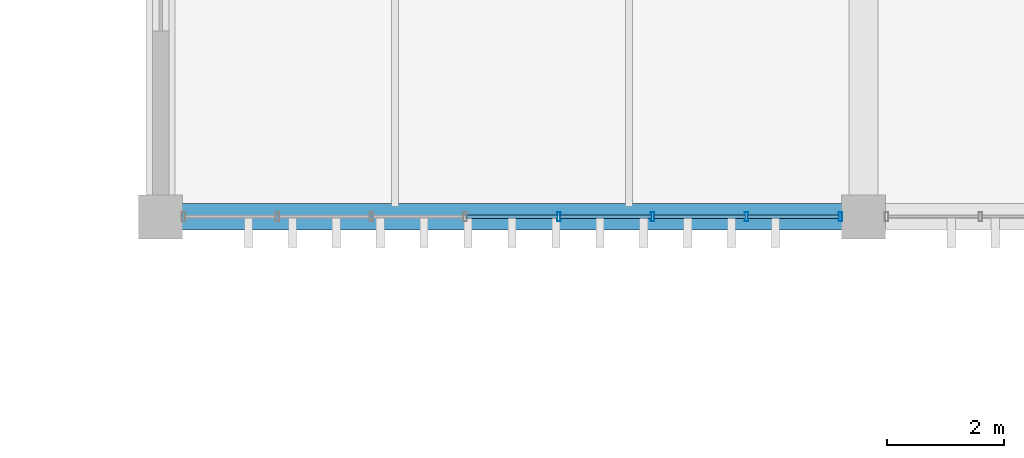
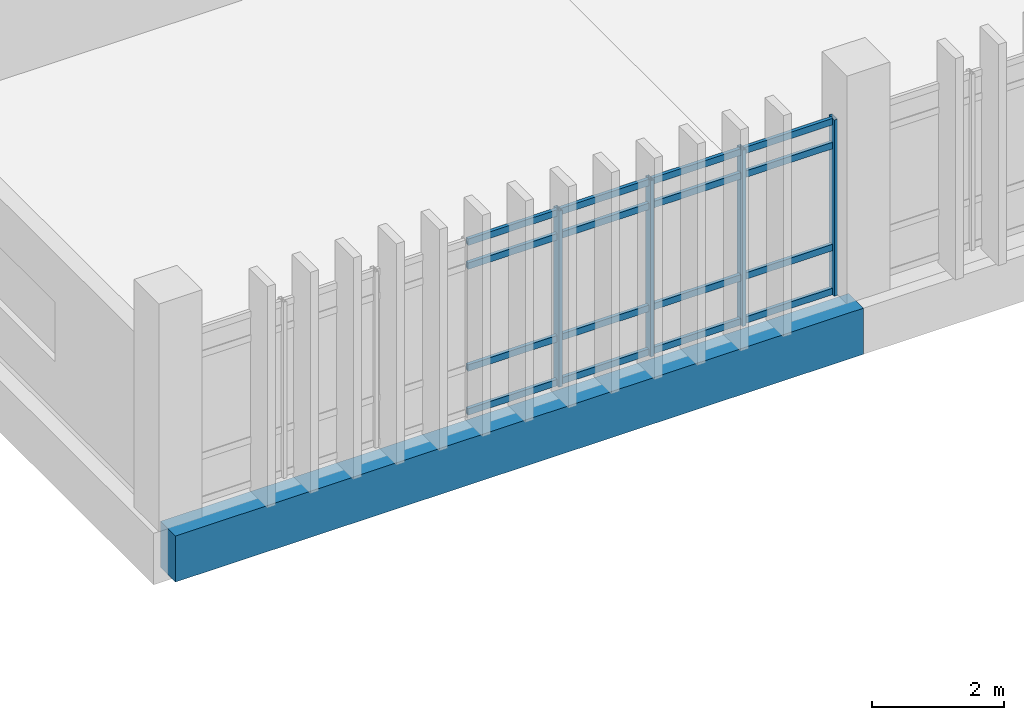
# One storey, part 23 of 111: 20 members, 1 beam, 1 element without a shape of its own.
"""IFC4 building model written with IfcOpenShell, lengths in metres."""

from ifc_helpers import new_model, si_unit, direction, frame, origin, origin_2d, place, context, subcontext, project, spatial, rectangle, hollow_rectangle, extrude, material, layer, layer_set, material_profile, profile_set, type_object, element, aggregate, save


model = new_model("IFC4")

# Units and contexts
model_context = context("Model", 3, precision=1e-05, world=origin(), true_north=direction((0.0, 1.0)))
body_context = subcontext(model_context, "Body", "Model", "MODEL_VIEW")
ifc_project = project(units=[si_unit("LENGTHUNIT", "METRE"), si_unit("AREAUNIT", "SQUARE_METRE"), si_unit("VOLUMEUNIT", "CUBIC_METRE"), si_unit("PLANEANGLEUNIT", "RADIAN"), si_unit("MASSUNIT", "GRAM", prefix="KILO")], contexts=[model_context])

# Site, building, storey
site_placement = place(None, origin())
site = spatial("IfcSite", under=ifc_project, at=site_placement, CompositionType="ELEMENT")
building_placement = place(site_placement, origin())
building = spatial("IfcBuilding", under=site, at=building_placement, Name="Mersad Railyard Sports Hall", CompositionType="ELEMENT")
storey_placement = place(building_placement, frame((0.0, 0.0, 9.0)))
storey = spatial("IfcBuildingStorey", under=building, at=storey_placement, Name="L02", CompositionType="ELEMENT", Elevation=9.0)

# Curtain wall, members
ifc_material_1 = material(Name="Aluminium 6063-T6", Category="aluminium")
ifc_layer = layer(ifc_material_1, 0.159912109375)
ifc_layer_set = layer_set([ifc_layer], Name="Aluminium 6063-T6")
curtain_wall_type = type_object("IfcCurtainWallType", Name="ARC-CW-CW54", PredefinedType="USERDEFINED", material=ifc_layer_set)
curtain_wall_placement = place(storey_placement, origin())
curtain_wall = element("IfcCurtainWall", 1, at=curtain_wall_placement, inside=storey, type_object=curtain_wall_type, Name="Curtain wall CW54-0143", ObjectType="CURTAIN WALL", PredefinedType="USERDEFINED")
ifc_material_profile_1 = material_profile(ifc_material_1, hollow_rectangle(XDim=0.06005859375, YDim=0.159912109375, WallThickness=0.00390625, at=origin_2d()), Name="AL MULLION 60x160x4")
ifc_profile_set_1 = profile_set([ifc_material_profile_1], Name="Aluminium 6063-T6")
member_type_1 = type_object("IfcMemberType", Name="ARC-CW-MUL01", PredefinedType="MULLION", material=ifc_profile_set_1)
member_1_placement = place(storey_placement, frame((54.60498046875, 85.0, -0.02001953125), z_axis=(0.0, 0.0, 1.0), x_axis=(1.0, 0.0, 0.0)))
member_1 = element("IfcMember", 2, at=member_1_placement, type_object=member_type_1, Name="CW54 Mullion 1", PredefinedType="MULLION", context=body_context, shape_type="SweptSolid", body=[
    extrude(hollow_rectangle(XDim=0.06005859375, YDim=0.159912109375, WallThickness=0.00390625, at=origin_2d()), origin(), (0.0, 0.0, 1.0), 3.25),
])
member_2_placement = place(storey_placement, frame((53.003662109375, 85.0, -0.02001953125), z_axis=(0.0, 0.0, 1.0), x_axis=(1.0, 0.0, 0.0)))
member_2 = element("IfcMember", 3, at=member_2_placement, type_object=member_type_1, Name="CW54 Mullion 2", PredefinedType="MULLION", context=body_context, shape_type="SweptSolid", body=[
    extrude(hollow_rectangle(XDim=0.06005859375, YDim=0.159912109375, WallThickness=0.00390625, at=origin_2d()), origin(), (0.0, 0.0, 1.0), 3.25),
])
member_3_placement = place(storey_placement, frame((51.402099609375, 85.0, -0.02001953125), z_axis=(0.0, 0.0, 1.0), x_axis=(1.0, 0.0, 0.0)))
member_3 = element("IfcMember", 4, at=member_3_placement, type_object=member_type_1, Name="CW54 Mullion 3", PredefinedType="MULLION", context=body_context, shape_type="SweptSolid", body=[
    extrude(hollow_rectangle(XDim=0.06005859375, YDim=0.159912109375, WallThickness=0.00390625, at=origin_2d()), origin(), (0.0, 0.0, 1.0), 3.25),
])
member_4_placement = place(storey_placement, frame((49.80078125, 85.0, -0.02001953125), z_axis=(0.0, 0.0, 1.0), x_axis=(1.0, 0.0, 0.0)))
member_4 = element("IfcMember", 5, at=member_4_placement, type_object=member_type_1, Name="CW54 Mullion 4", PredefinedType="MULLION", context=body_context, shape_type="SweptSolid", body=[
    extrude(hollow_rectangle(XDim=0.06005859375, YDim=0.159912109375, WallThickness=0.00390625, at=origin_2d()), origin(), (0.0, 0.0, 1.0), 3.25),
])
ifc_material_profile_2 = material_profile(ifc_material_1, hollow_rectangle(XDim=0.06005859375, YDim=0.1201171875, WallThickness=0.00390625, at=origin_2d()), Name="AL TRANSOM 60x120x4")
ifc_profile_set_2 = profile_set([ifc_material_profile_2], Name="Aluminium 6063-T6")
member_type_2 = type_object("IfcMemberType", Name="ARC-CW-TRN01", PredefinedType="USERDEFINED", material=ifc_profile_set_2)
member_5_placement = place(storey_placement, frame((54.5849609375, 85.0, 0.0400390625), z_axis=(-1.0, 0.0, 0.0), x_axis=(0.0, -1.0, 0.0)))
member_5 = element("IfcMember", 6, at=member_5_placement, type_object=member_type_2, Name="CW54 Transom 1-1", ObjectType="TRANSOM", PredefinedType="USERDEFINED", context=body_context, shape_type="SweptSolid", body=[
    extrude(hollow_rectangle(XDim=0.06005859375, YDim=0.1201171875, WallThickness=0.00390625, at=origin_2d()), origin(), (0.0, 0.0, 1.0), 1.561279296875),
])
member_6_placement = place(storey_placement, frame((52.983642578125, 85.0, 0.0400390625), z_axis=(-1.0, 0.0, 0.0), x_axis=(0.0, -1.0, 0.0)))
member_6 = element("IfcMember", 7, at=member_6_placement, type_object=member_type_2, Name="CW54 Transom 1-2", ObjectType="TRANSOM", PredefinedType="USERDEFINED", context=body_context, shape_type="SweptSolid", body=[
    extrude(hollow_rectangle(XDim=0.06005859375, YDim=0.1201171875, WallThickness=0.00390625, at=origin_2d()), origin(), (0.0, 0.0, 1.0), 1.5615234375),
])
member_7_placement = place(storey_placement, frame((51.382080078125, 85.0, 0.0400390625), z_axis=(-1.0, 0.0, 0.0), x_axis=(0.0, -1.0, 0.0)))
member_7 = element("IfcMember", 8, at=member_7_placement, type_object=member_type_2, Name="CW54 Transom 1-3", ObjectType="TRANSOM", PredefinedType="USERDEFINED", context=body_context, shape_type="SweptSolid", body=[
    extrude(hollow_rectangle(XDim=0.06005859375, YDim=0.1201171875, WallThickness=0.00390625, at=origin_2d()), origin(), (0.0, 0.0, 1.0), 1.561279296875),
])
member_8_placement = place(storey_placement, frame((49.78076171875, 85.0, 0.0400390625), z_axis=(-1.0, 0.0, 0.0), x_axis=(0.0, -1.0, 0.0)))
member_8 = element("IfcMember", 9, at=member_8_placement, type_object=member_type_2, Name="CW54 Transom 1-4", ObjectType="TRANSOM", PredefinedType="USERDEFINED", context=body_context, shape_type="SweptSolid", body=[
    extrude(hollow_rectangle(XDim=0.06005859375, YDim=0.1201171875, WallThickness=0.00390625, at=origin_2d()), origin(), (0.0, 0.0, 1.0), 1.5615234375),
])
member_9_placement = place(storey_placement, frame((54.5849609375, 85.0, 0.85009765625), z_axis=(-1.0, 0.0, 0.0), x_axis=(0.0, -1.0, 0.0)))
member_9 = element("IfcMember", 10, at=member_9_placement, type_object=member_type_2, Name="CW54 Transom 2-1", ObjectType="TRANSOM", PredefinedType="USERDEFINED", context=body_context, shape_type="SweptSolid", body=[
    extrude(hollow_rectangle(XDim=0.06005859375, YDim=0.1201171875, WallThickness=0.00390625, at=origin_2d()), origin(), (0.0, 0.0, 1.0), 1.561279296875),
])
member_10_placement = place(storey_placement, frame((52.983642578125, 85.0, 0.85009765625), z_axis=(-1.0, 0.0, 0.0), x_axis=(0.0, -1.0, 0.0)))
member_10 = element("IfcMember", 11, at=member_10_placement, type_object=member_type_2, Name="CW54 Transom 2-2", ObjectType="TRANSOM", PredefinedType="USERDEFINED", context=body_context, shape_type="SweptSolid", body=[
    extrude(hollow_rectangle(XDim=0.06005859375, YDim=0.1201171875, WallThickness=0.00390625, at=origin_2d()), origin(), (0.0, 0.0, 1.0), 1.5615234375),
])
member_11_placement = place(storey_placement, frame((51.382080078125, 85.0, 0.85009765625), z_axis=(-1.0, 0.0, 0.0), x_axis=(0.0, -1.0, 0.0)))
member_11 = element("IfcMember", 12, at=member_11_placement, type_object=member_type_2, Name="CW54 Transom 2-3", ObjectType="TRANSOM", PredefinedType="USERDEFINED", context=body_context, shape_type="SweptSolid", body=[
    extrude(hollow_rectangle(XDim=0.06005859375, YDim=0.1201171875, WallThickness=0.00390625, at=origin_2d()), origin(), (0.0, 0.0, 1.0), 1.561279296875),
])
member_12_placement = place(storey_placement, frame((49.78076171875, 85.0, 0.85009765625), z_axis=(-1.0, 0.0, 0.0), x_axis=(0.0, -1.0, 0.0)))
member_12 = element("IfcMember", 13, at=member_12_placement, type_object=member_type_2, Name="CW54 Transom 2-4", ObjectType="TRANSOM", PredefinedType="USERDEFINED", context=body_context, shape_type="SweptSolid", body=[
    extrude(hollow_rectangle(XDim=0.06005859375, YDim=0.1201171875, WallThickness=0.00390625, at=origin_2d()), origin(), (0.0, 0.0, 1.0), 1.5615234375),
])
member_13_placement = place(storey_placement, frame((54.5849609375, 85.0, 2.72998046875), z_axis=(-1.0, 0.0, 0.0), x_axis=(0.0, -1.0, 0.0)))
member_13 = element("IfcMember", 14, at=member_13_placement, type_object=member_type_2, Name="CW54 Transom 3-1", ObjectType="TRANSOM", PredefinedType="USERDEFINED", context=body_context, shape_type="SweptSolid", body=[
    extrude(hollow_rectangle(XDim=0.06005859375, YDim=0.1201171875, WallThickness=0.00390625, at=origin_2d()), origin(), (0.0, 0.0, 1.0), 1.561279296875),
])
member_14_placement = place(storey_placement, frame((52.983642578125, 85.0, 2.72998046875), z_axis=(-1.0, 0.0, 0.0), x_axis=(0.0, -1.0, 0.0)))
member_14 = element("IfcMember", 15, at=member_14_placement, type_object=member_type_2, Name="CW54 Transom 3-2", ObjectType="TRANSOM", PredefinedType="USERDEFINED", context=body_context, shape_type="SweptSolid", body=[
    extrude(hollow_rectangle(XDim=0.06005859375, YDim=0.1201171875, WallThickness=0.00390625, at=origin_2d()), origin(), (0.0, 0.0, 1.0), 1.5615234375),
])
member_15_placement = place(storey_placement, frame((51.382080078125, 85.0, 2.72998046875), z_axis=(-1.0, 0.0, 0.0), x_axis=(0.0, -1.0, 0.0)))
member_15 = element("IfcMember", 16, at=member_15_placement, type_object=member_type_2, Name="CW54 Transom 3-3", ObjectType="TRANSOM", PredefinedType="USERDEFINED", context=body_context, shape_type="SweptSolid", body=[
    extrude(hollow_rectangle(XDim=0.06005859375, YDim=0.1201171875, WallThickness=0.00390625, at=origin_2d()), origin(), (0.0, 0.0, 1.0), 1.561279296875),
])
member_16_placement = place(storey_placement, frame((49.78076171875, 85.0, 2.72998046875), z_axis=(-1.0, 0.0, 0.0), x_axis=(0.0, -1.0, 0.0)))
member_16 = element("IfcMember", 17, at=member_16_placement, type_object=member_type_2, Name="CW54 Transom 3-4", ObjectType="TRANSOM", PredefinedType="USERDEFINED", context=body_context, shape_type="SweptSolid", body=[
    extrude(hollow_rectangle(XDim=0.06005859375, YDim=0.1201171875, WallThickness=0.00390625, at=origin_2d()), origin(), (0.0, 0.0, 1.0), 1.5615234375),
])
member_17_placement = place(storey_placement, frame((54.5849609375, 85.0, 3.169921875), z_axis=(-1.0, 0.0, 0.0), x_axis=(0.0, -1.0, 0.0)))
member_17 = element("IfcMember", 18, at=member_17_placement, type_object=member_type_2, Name="CW54 Transom 4-1", ObjectType="TRANSOM", PredefinedType="USERDEFINED", context=body_context, shape_type="SweptSolid", body=[
    extrude(hollow_rectangle(XDim=0.06005859375, YDim=0.1201171875, WallThickness=0.00390625, at=origin_2d()), origin(), (0.0, 0.0, 1.0), 1.561279296875),
])
member_18_placement = place(storey_placement, frame((52.983642578125, 85.0, 3.169921875), z_axis=(-1.0, 0.0, 0.0), x_axis=(0.0, -1.0, 0.0)))
member_18 = element("IfcMember", 19, at=member_18_placement, type_object=member_type_2, Name="CW54 Transom 4-2", ObjectType="TRANSOM", PredefinedType="USERDEFINED", context=body_context, shape_type="SweptSolid", body=[
    extrude(hollow_rectangle(XDim=0.06005859375, YDim=0.1201171875, WallThickness=0.00390625, at=origin_2d()), origin(), (0.0, 0.0, 1.0), 1.5615234375),
])
member_19_placement = place(storey_placement, frame((51.382080078125, 85.0, 3.169921875), z_axis=(-1.0, 0.0, 0.0), x_axis=(0.0, -1.0, 0.0)))
member_19 = element("IfcMember", 20, at=member_19_placement, type_object=member_type_2, Name="CW54 Transom 4-3", ObjectType="TRANSOM", PredefinedType="USERDEFINED", context=body_context, shape_type="SweptSolid", body=[
    extrude(hollow_rectangle(XDim=0.06005859375, YDim=0.1201171875, WallThickness=0.00390625, at=origin_2d()), origin(), (0.0, 0.0, 1.0), 1.561279296875),
])
member_20_placement = place(storey_placement, frame((49.78076171875, 85.0, 3.169921875), z_axis=(-1.0, 0.0, 0.0), x_axis=(0.0, -1.0, 0.0)))
member_20 = element("IfcMember", 21, at=member_20_placement, type_object=member_type_2, Name="CW54 Transom 4-4", ObjectType="TRANSOM", PredefinedType="USERDEFINED", context=body_context, shape_type="SweptSolid", body=[
    extrude(hollow_rectangle(XDim=0.06005859375, YDim=0.1201171875, WallThickness=0.00390625, at=origin_2d()), origin(), (0.0, 0.0, 1.0), 1.5615234375),
])
aggregate(curtain_wall, [member_1, member_2, member_3, member_4, member_5, member_6, member_7, member_8, member_9, member_10, member_11, member_12, member_13, member_14, member_15, member_16, member_17, member_18, member_19, member_20])

# Beam
ifc_material_2 = material(Name="Concrete C40/50", Category="concrete")
ifc_material_profile_3 = material_profile(ifc_material_2, rectangle(XDim=0.449951171875, YDim=0.85009765625, at=origin_2d()), Name="RC 450x850")
ifc_profile_set_3 = profile_set([ifc_material_profile_3], Name="Concrete C40/50")
beam_type = type_object("IfcBeamType", Name="STR-BM-B02", PredefinedType="BEAM", material=ifc_profile_set_3)
beam_placement = place(storey_placement, frame((43.0, 85.0, -0.72509765625), z_axis=(1.0, 0.0, 0.0), x_axis=(0.0, 1.0, 0.0)))
element("IfcBeam", 22, at=beam_placement, inside=storey, type_object=beam_type, Name="Beam B02-1065", PredefinedType="BEAM", context=body_context, shape_type="SweptSolid", body=[
    extrude(rectangle(XDim=0.449951171875, YDim=0.85009765625, at=origin_2d()), origin(), (0.0, 0.0, 1.0), 12.0),
])

save(model, "model.ifc")
